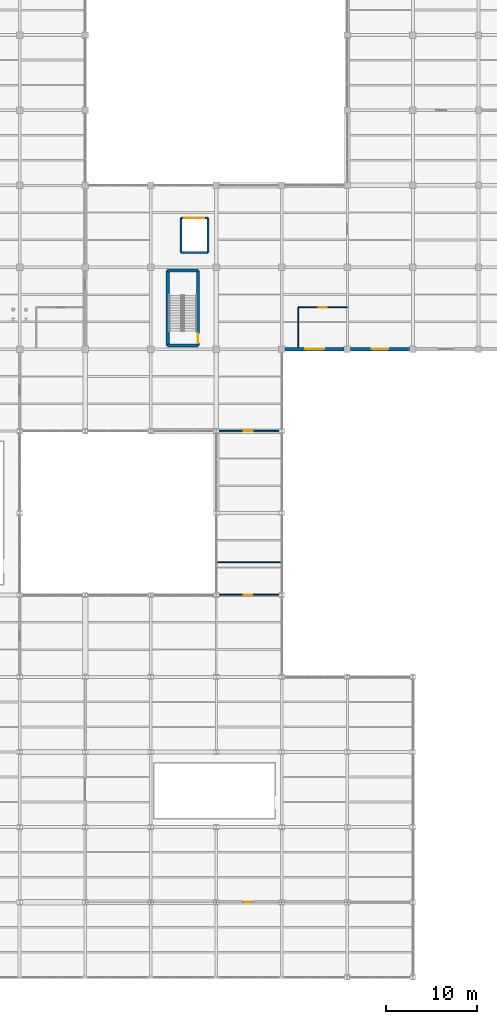
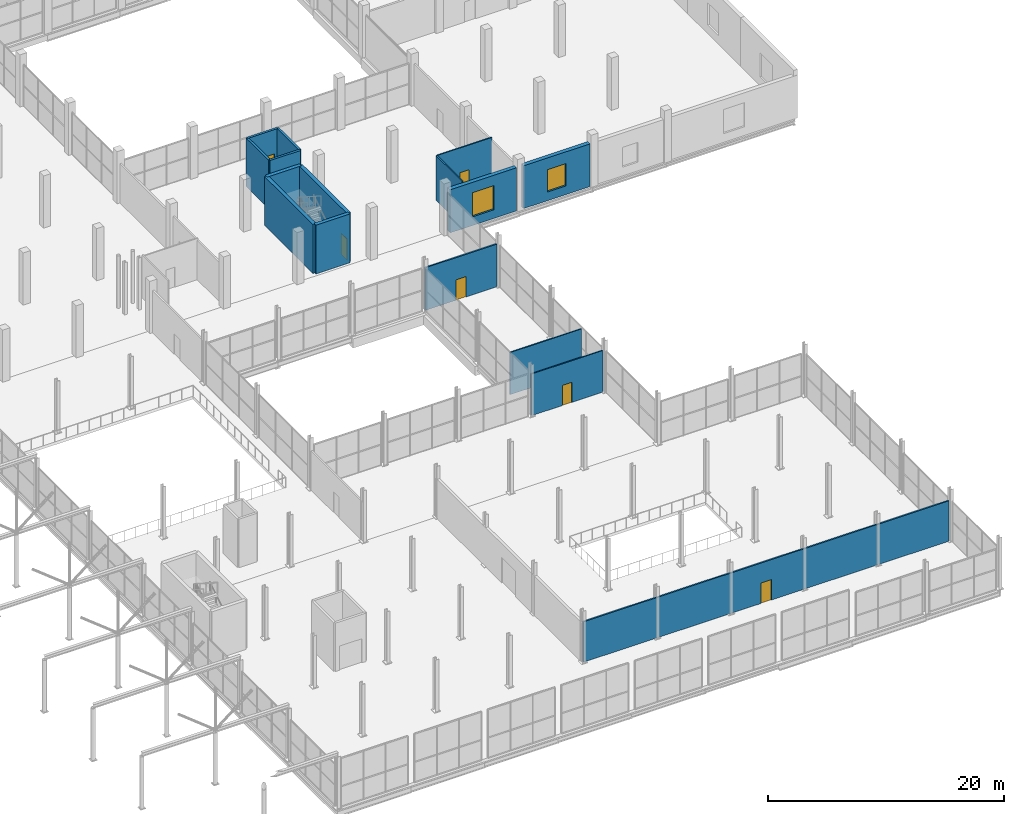
# One storey, part 135 of 147: 16 walls, 6 doors, 2 windows, 8 openings.
"""IFC4 building model written with IfcOpenShell, lengths in metres."""

from ifc_helpers import new_model, si_unit, direction, frame, frame_2d, origin, place, context, subcontext, project, spatial, rectangle, extrude, material, layer, layer_set, type_object, element, fill, save


model = new_model("IFC4")

# Units and contexts
model_context = context("Model", 3, precision=1e-05, world=origin(), true_north=direction((0.0, 1.0)))
body_context = subcontext(model_context, "Body", "Model", "MODEL_VIEW")
ifc_project = project(units=[si_unit("LENGTHUNIT", "METRE"), si_unit("AREAUNIT", "SQUARE_METRE"), si_unit("VOLUMEUNIT", "CUBIC_METRE"), si_unit("PLANEANGLEUNIT", "RADIAN"), si_unit("MASSUNIT", "GRAM", prefix="KILO")], contexts=[model_context])

# Site, building, storey
site_placement = place(None, origin())
site = spatial("IfcSite", under=ifc_project, at=site_placement, CompositionType="ELEMENT")
building_placement = place(site_placement, origin())
building = spatial("IfcBuilding", under=site, at=building_placement, Name="Sundgate Opera House", CompositionType="ELEMENT")
storey_placement = place(building_placement, frame((0.0, 0.0, 6.0)))
storey = spatial("IfcBuildingStorey", under=building, at=storey_placement, Name="L01", CompositionType="ELEMENT", Elevation=6.0)

# Walls
ifc_material_1 = material(Name="Concrete C40/50", Category="concrete")
ifc_layer_1 = layer(ifc_material_1, 0.35009765625)
ifc_layer_set_1 = layer_set([ifc_layer_1], Name="Concrete C40/50")
wall_type_1 = type_object("IfcWallType", Name="WL-CORE-350", PredefinedType="SHEAR", material=ifc_layer_set_1)
for number, where, z_axis, x_axis, name in (
    (1, (133.260009765625, 69.409912109375, 0.0), (0.0, 0.0, 1.0), (1.0, 0.0, 0.0), "L01 C6 South Shaft Wall"),
    (2, (133.260009765625, 77.639892578125, 0.0), (0.0, 0.0, 1.0), (1.0, 0.0, 0.0), "L01 C6 North Shaft Wall"),
):
    element("IfcWall", number, at=place(storey_placement, frame(where, z_axis=z_axis, x_axis=x_axis)), inside=storey, type_object=wall_type_1, Name=name, PredefinedType="SHEAR", context=body_context, shape_type="SweptSolid", body=[
        extrude(rectangle(XDim=3.330078125, YDim=0.35009765625, at=frame_2d((1.6650390625, 0.0))), origin(), (0.0, 0.0, 1.0), 5.050048828125),
    ])
wall_1_placement = place(storey_placement, frame((133.260009765625, 69.409912109375, 0.0), z_axis=(0.0, 0.0, 1.0), x_axis=(0.0, 1.0, 0.0)))
element("IfcWall", 3, at=wall_1_placement, inside=storey, type_object=wall_type_1, Name="L01 C6 West Shaft Wall", PredefinedType="SHEAR", context=body_context, shape_type="SweptSolid", body=[
    extrude(rectangle(XDim=8.22998046875, YDim=0.35009765625, at=frame_2d((4.114990234375, 0.0))), origin(), (0.0, 0.0, 1.0), 5.050048828125),
])

# Wall, opening, door
wall_2_placement = place(storey_placement, frame((136.590087890625, 69.409912109375, 0.0), z_axis=(0.0, 0.0, 1.0), x_axis=(0.0, 1.0, 0.0)))
wall_2 = element("IfcWall", 4, at=wall_2_placement, inside=storey, type_object=wall_type_1, Name="L01 C6 East Shaft Wall", PredefinedType="SHEAR", context=body_context, shape_type="SweptSolid", body=[
    extrude(rectangle(XDim=8.22998046875, YDim=0.35009765625, at=frame_2d((4.114990234375, 0.0))), origin(), (0.0, 0.0, 1.0), 5.050048828125),
])
opening_1_placement = place(wall_2_placement, frame((0.239990234375, 0.0, 0.0)))
opening_1 = element("IfcOpeningElement", 5, at=opening_1_placement, cuts=wall_2, Name="Opening DI01", PredefinedType="OPENING", context=body_context, shape_type="SweptSolid", body=[
    extrude(rectangle(XDim=1.050048828125, YDim=2.179931640625, at=frame_2d((0.52490234375, 1.08984375))), frame((0.0, 0.18505859375, 0.0), z_axis=(0.0, -1.0, 0.0), x_axis=(1.0, 0.0, 0.0)), (0.0, 0.0, 1.0), 0.3701171875),
])
ifc_material_2 = material(Name="Acoustic hardwood timber and steel core", Category="steel")
door_type_1 = type_object("IfcDoorType", Name="DR-STAIR-1050x2180", OperationType="NOTDEFINED", PredefinedType="DOOR", material=ifc_material_2)
door_1_placement = place(opening_1_placement, origin())
door_1 = element("IfcDoor", 6, at=door_1_placement, inside=storey, type_object=door_type_1, Name="L01 C6 Stair Door D0080", OperationType="SINGLE_SWING_RIGHT", OverallHeight=2.179931640625, OverallWidth=1.050048828125, PredefinedType="DOOR", context=body_context, shape_type="SweptSolid", body=[
    extrude(rectangle(XDim=1.050048828125, YDim=2.179931640625, at=frame_2d((0.52490234375, 1.08984375))), frame((0.0, 0.02490234375, 0.0), z_axis=(0.0, -1.0, 0.0), x_axis=(1.0, 0.0, 0.0)), (0.0, 0.0, 1.0), 0.050048828125),
])
fill(opening_1, door_1)

# Wall, opening, window
ifc_material_3 = material(Name="Scanian red-brown facing brick masonry", Category="masonry")
ifc_layer_2 = layer(ifc_material_3, 0.389892578125)
ifc_layer_set_2 = layer_set([ifc_layer_2], Name="Scanian red-brown facing brick masonry")
wall_type_2 = type_object("IfcWallType", Name="WL-EXT-BRICK-390", PredefinedType="SOLIDWALL", material=ifc_layer_set_2)
wall_3_placement = place(storey_placement, frame((152.655029296875, 69.0, 0.0), z_axis=(0.0, 0.0, 1.0), x_axis=(-1.0, 0.0, 0.0)))
wall_3 = element("IfcWall", 7, at=wall_3_placement, inside=storey, type_object=wall_type_2, Name="L01 Conservatory South Brick Wall W0220", PredefinedType="SOLIDWALL", context=body_context, shape_type="SweptSolid", body=[
    extrude(rectangle(XDim=6.510009765625, YDim=0.389892578125, at=frame_2d((3.2548828125, 0.0))), origin(), (0.0, 0.0, 1.0), 4.465087890625),
])
opening_2_placement = place(wall_3_placement, frame((2.205078125, 0.0, 0.89990234375)))
opening_2 = element("IfcOpeningElement", 8, at=opening_2_placement, cuts=wall_3, Name="Opening W04", PredefinedType="OPENING", context=body_context, shape_type="SweptSolid", body=[
    extrude(rectangle(XDim=2.10009765625, YDim=2.5, at=frame_2d((1.050048828125, 1.25))), frame((0.0, 0.204833984375, 0.0), z_axis=(0.0, -1.0, 0.0), x_axis=(1.0, 0.0, 0.0)), (0.0, 0.0, 1.0), 0.409912109375),
])
ifc_material_4 = material(Name="Low-iron triple glazing in patinated bronze frame", Category="glass")
window_type_1 = type_object("IfcWindowType", Name="WN-CONS-2100x2500", PartitioningType="SINGLE_PANEL", PredefinedType="WINDOW", material=ifc_material_4)
window_1_placement = place(opening_2_placement, origin())
window_1 = element("IfcWindow", 9, at=window_1_placement, inside=storey, type_object=window_type_1, Name="L01 Conservatory Window WN0173", OverallHeight=2.5, OverallWidth=2.10009765625, PartitioningType="SINGLE_PANEL", PredefinedType="WINDOW", context=body_context, shape_type="SweptSolid", body=[
    extrude(rectangle(XDim=2.10009765625, YDim=2.5, at=frame_2d((1.050048828125, 1.25))), frame((0.0, 0.030029296875, 0.0), z_axis=(0.0, -1.0, 0.0), x_axis=(1.0, 0.0, 0.0)), (0.0, 0.0, 1.0), 0.06005859375),
])
fill(opening_2, window_1)

wall_4_placement = place(storey_placement, frame((159.85498046875, 69.0, 0.0), z_axis=(0.0, 0.0, 1.0), x_axis=(-1.0, 0.0, 0.0)))
wall_4 = element("IfcWall", 10, at=wall_4_placement, inside=storey, type_object=wall_type_2, Name="L01 Conservatory South Brick Wall W0221", PredefinedType="SOLIDWALL", context=body_context, shape_type="SweptSolid", body=[
    extrude(rectangle(XDim=6.510009765625, YDim=0.389892578125, at=frame_2d((3.2548828125, 0.0))), origin(), (0.0, 0.0, 1.0), 4.425048828125),
])
opening_3_placement = place(wall_4_placement, frame((2.35498046875, 0.0, 0.89990234375)))
opening_3 = element("IfcOpeningElement", 11, at=opening_3_placement, cuts=wall_4, Name="Opening W05", PredefinedType="OPENING", context=body_context, shape_type="SweptSolid", body=[
    extrude(rectangle(XDim=1.800048828125, YDim=2.300048828125, at=frame_2d((0.89990234375, 1.14990234375))), frame((0.0, 0.204833984375, 0.0), z_axis=(0.0, -1.0, 0.0), x_axis=(1.0, 0.0, 0.0)), (0.0, 0.0, 1.0), 0.409912109375),
])
ifc_material_5 = material(Name="Low-iron triple glazing in patinated bronze frame", Category="glass")
window_type_2 = type_object("IfcWindowType", Name="WN-CONS-1800x2300", PartitioningType="SINGLE_PANEL", PredefinedType="WINDOW", material=ifc_material_5)
window_2_placement = place(opening_3_placement, origin())
window_2 = element("IfcWindow", 12, at=window_2_placement, inside=storey, type_object=window_type_2, Name="L01 Conservatory Window WN0174", OverallHeight=2.300048828125, OverallWidth=1.800048828125, PartitioningType="SINGLE_PANEL", PredefinedType="WINDOW", context=body_context, shape_type="SweptSolid", body=[
    extrude(rectangle(XDim=1.800048828125, YDim=2.300048828125, at=frame_2d((0.89990234375, 1.14990234375))), frame((0.0, 0.030029296875, 0.0), z_axis=(0.0, -1.0, 0.0), x_axis=(1.0, 0.0, 0.0)), (0.0, 0.0, 1.0), 0.06005859375),
])
fill(opening_3, window_2)

# Wall
ifc_material_6 = material(Name="Fire-rated gypsum and mineral-wool shaft partition", Category="gypsum")
ifc_layer_3 = layer(ifc_material_6, 0.219970703125)
ifc_layer_set_3 = layer_set([ifc_layer_3], Name="Fire-rated gypsum and mineral-wool shaft partition")
wall_type_3 = type_object("IfcWallType", Name="WL-INT-FIRE-220", PredefinedType="PARTITIONING", material=ifc_layer_set_3)
wall_5_placement = place(storey_placement, frame((134.7099609375, 79.610107421875, 0.0), z_axis=(0.0, 0.0, 1.0), x_axis=(1.0, 0.0, 0.0)))
element("IfcWall", 13, at=wall_5_placement, inside=storey, type_object=wall_type_3, Name="L01 GL-01 South Shaft Wall", PredefinedType="PARTITIONING", context=body_context, shape_type="SweptSolid", body=[
    extrude(rectangle(XDim=2.97998046875, YDim=0.219970703125, at=frame_2d((1.489990234375, 0.0))), origin(), (0.0, 0.0, 1.0), 5.014892578125),
])

# Wall, opening, door
wall_6_placement = place(storey_placement, frame((134.7099609375, 83.389892578125, 0.0), z_axis=(0.0, 0.0, 1.0), x_axis=(1.0, 0.0, 0.0)))
wall_6 = element("IfcWall", 14, at=wall_6_placement, inside=storey, type_object=wall_type_3, Name="L01 GL-01 North Shaft Wall", PredefinedType="PARTITIONING", context=body_context, shape_type="SweptSolid", body=[
    extrude(rectangle(XDim=2.97998046875, YDim=0.219970703125, at=frame_2d((1.489990234375, 0.0))), origin(), (0.0, 0.0, 1.0), 5.014892578125),
])
opening_4_placement = place(wall_6_placement, frame((0.389892578125, 0.0, 0.0)))
opening_4 = element("IfcOpeningElement", 15, at=opening_4_placement, cuts=wall_6, Name="Opening LD3", PredefinedType="OPENING", context=body_context, shape_type="SweptSolid", body=[
    extrude(rectangle(XDim=2.199951171875, YDim=2.5, at=frame_2d((1.10009765625, 1.25))), frame((0.0, 0.119873046875, 0.0), z_axis=(0.0, -1.0, 0.0), x_axis=(1.0, 0.0, 0.0)), (0.0, 0.0, 1.0), 0.239990234375),
])
ifc_material_7 = material(Name="Brushed stainless steel EN 1.4301", Category="steel")
door_type_2 = type_object("IfcDoorType", Name="DR-LIFT-2200x2500", OperationType="DOUBLE_DOOR_SLIDING", PredefinedType="DOOR", material=ifc_material_7)
door_2_placement = place(opening_4_placement, origin())
door_2 = element("IfcDoor", 16, at=door_2_placement, inside=storey, type_object=door_type_2, Name="L01 GL-01 Landing Door D0146", OperationType="DOUBLE_DOOR_SLIDING", OverallHeight=2.5, OverallWidth=2.199951171875, PredefinedType="DOOR", context=body_context, shape_type="SweptSolid", body=[
    extrude(rectangle(XDim=2.199951171875, YDim=2.5, at=frame_2d((1.10009765625, 1.25))), frame((0.0, 0.02490234375, 0.0), z_axis=(0.0, -1.0, 0.0), x_axis=(1.0, 0.0, 0.0)), (0.0, 0.0, 1.0), 0.050048828125),
])
fill(opening_4, door_2)

# Walls
for number, where, z_axis, x_axis, name in (
    (17, (134.7099609375, 79.610107421875, 0.0), (0.0, 0.0, 1.0), (0.0, 1.0, 0.0), "L01 GL-01 West Shaft Wall"),
    (18, (137.68994140625, 79.610107421875, 0.0), (0.0, 0.0, 1.0), (0.0, 1.0, 0.0), "L01 GL-01 East Shaft Wall"),
):
    element("IfcWall", number, at=place(storey_placement, frame(where, z_axis=z_axis, x_axis=x_axis)), inside=storey, type_object=wall_type_3, Name=name, PredefinedType="PARTITIONING", context=body_context, shape_type="SweptSolid", body=[
        extrude(rectangle(XDim=3.77978515625, YDim=0.219970703125, at=frame_2d((1.889892578125, 0.0))), origin(), (0.0, 0.0, 1.0), 5.014892578125),
    ])

# Wall, opening, door
ifc_material_8 = material(Name="General studio partition", Category="gypsum")
ifc_layer_4 = layer(ifc_material_8, 0.14501953125)
ifc_layer_set_4 = layer_set([ifc_layer_4], Name="General studio partition")
wall_type_4 = type_object("IfcWallType", Name="WL-INT-PART-145", PredefinedType="PARTITIONING", material=ifc_layer_set_4)
wall_7_placement = place(storey_placement, frame((138.60009765625, 60.0, 0.0), z_axis=(0.0, 0.0, 1.0), x_axis=(1.0, 0.0, 0.0)))
wall_7 = element("IfcWall", 19, at=wall_7_placement, inside=storey, type_object=wall_type_4, Name="L01 Interior Partition W1033", PredefinedType="PARTITIONING", context=body_context, shape_type="SweptSolid", body=[
    extrude(rectangle(XDim=7.0, YDim=0.14501953125, at=frame_2d((3.5, 0.0))), origin(), (0.0, 0.0, 1.0), 4.4150390625),
])
opening_5_placement = place(wall_7_placement, frame((3.0, 0.0, 0.0)))
opening_5 = element("IfcOpeningElement", 20, at=opening_5_placement, cuts=wall_7, Name="Opening DI10", PredefinedType="OPENING", context=body_context, shape_type="SweptSolid", body=[
    extrude(rectangle(XDim=1.0, YDim=2.1201171875, at=frame_2d((0.5, 1.06005859375))), frame((0.0, 0.08251953125, 0.0), z_axis=(0.0, -1.0, 0.0), x_axis=(1.0, 0.0, 0.0)), (0.0, 0.0, 1.0), 0.1650390625),
])
ifc_material_9 = material(Name="Acoustic hardwood timber and steel core", Category="steel")
door_type_3 = type_object("IfcDoorType", Name="DR-UNR-1000x2120", OperationType="NOTDEFINED", PredefinedType="DOOR", material=ifc_material_9)
door_3_placement = place(opening_5_placement, origin())
door_3 = element("IfcDoor", 21, at=door_3_placement, inside=storey, type_object=door_type_3, Name="L01 Interior Door D0202", OperationType="SINGLE_SWING_RIGHT", OverallHeight=2.1201171875, OverallWidth=1.0, PredefinedType="DOOR", context=body_context, shape_type="SweptSolid", body=[
    extrude(rectangle(XDim=1.0, YDim=2.1201171875, at=frame_2d((0.5, 1.06005859375))), frame((0.0, 0.02490234375, 0.0), z_axis=(0.0, -1.0, 0.0), x_axis=(1.0, 0.0, 0.0)), (0.0, 0.0, 1.0), 0.050048828125),
])
fill(opening_5, door_3)

wall_8_placement = place(storey_placement, frame((124.199951171875, 8.25, 0.0), z_axis=(0.0, 0.0, 1.0), x_axis=(1.0, 0.0, 0.0)))
wall_8 = element("IfcWall", 22, at=wall_8_placement, inside=storey, type_object=wall_type_4, Name="L01 Interior Partition W1035", PredefinedType="PARTITIONING", context=body_context, shape_type="SweptSolid", body=[
    extrude(rectangle(XDim=35.800048828125, YDim=0.14501953125, at=frame_2d((17.89990234375, 0.0))), origin(), (0.0, 0.0, 1.0), 4.18505859375),
])
opening_6_placement = place(wall_8_placement, frame((17.39990234375, 0.0, 0.0)))
opening_6 = element("IfcOpeningElement", 23, at=opening_6_placement, cuts=wall_8, Name="Opening DI10", PredefinedType="OPENING", context=body_context, shape_type="SweptSolid", body=[
    extrude(rectangle(XDim=1.0, YDim=2.1201171875, at=frame_2d((0.5, 1.06005859375))), frame((0.0, 0.08251953125, 0.0), z_axis=(0.0, -1.0, 0.0), x_axis=(1.0, 0.0, 0.0)), (0.0, 0.0, 1.0), 0.1650390625),
])
door_4_placement = place(opening_6_placement, origin())
door_4 = element("IfcDoor", 24, at=door_4_placement, inside=storey, type_object=door_type_3, Name="L01 Interior Door D0204", OperationType="SINGLE_SWING_LEFT", OverallHeight=2.1201171875, OverallWidth=1.0, PredefinedType="DOOR", context=body_context, shape_type="SweptSolid", body=[
    extrude(rectangle(XDim=1.0, YDim=2.1201171875, at=frame_2d((0.5, 1.06005859375))), frame((0.0, 0.02490234375, 0.0), z_axis=(0.0, -1.0, 0.0), x_axis=(1.0, 0.0, 0.0)), (0.0, 0.0, 1.0), 0.050048828125),
])
fill(opening_6, door_4)

ifc_material_10 = material(Name="Moisture-resistant sanitary partition", Category="gypsum")
ifc_layer_5 = layer(ifc_material_10, 0.114990234375)
ifc_layer_set_5 = layer_set([ifc_layer_5], Name="Moisture-resistant sanitary partition")
wall_type_5 = type_object("IfcWallType", Name="WL-INT-WET-115", PredefinedType="PARTITIONING", material=ifc_layer_set_5)
wall_9_placement = place(storey_placement, frame((138.60009765625, 42.0, 0.0), z_axis=(0.0, 0.0, 1.0), x_axis=(1.0, 0.0, 0.0)))
wall_9 = element("IfcWall", 25, at=wall_9_placement, inside=storey, type_object=wall_type_5, Name="L01 Interior Partition W1031", PredefinedType="PARTITIONING", context=body_context, shape_type="SweptSolid", body=[
    extrude(rectangle(XDim=7.0, YDim=0.114990234375, at=frame_2d((3.5, 0.0))), origin(), (0.0, 0.0, 1.0), 4.31494140625),
])
opening_7_placement = place(wall_9_placement, frame((3.0400390625, 0.0, 0.0)))
opening_7 = element("IfcOpeningElement", 26, at=opening_7_placement, cuts=wall_9, Name="Opening DI12", PredefinedType="OPENING", context=body_context, shape_type="SweptSolid", body=[
    extrude(rectangle(XDim=0.919921875, YDim=2.080078125, at=frame_2d((0.4599609375, 1.0400390625))), frame((0.0, 0.0673828125, 0.0), z_axis=(0.0, -1.0, 0.0), x_axis=(1.0, 0.0, 0.0)), (0.0, 0.0, 1.0), 0.135009765625),
])
ifc_material_11 = material(Name="Acoustic hardwood timber and steel core", Category="steel")
door_type_4 = type_object("IfcDoorType", Name="DR-WC-920x2080", OperationType="NOTDEFINED", PredefinedType="DOOR", material=ifc_material_11)
door_5_placement = place(opening_7_placement, origin())
door_5 = element("IfcDoor", 27, at=door_5_placement, inside=storey, type_object=door_type_4, Name="L01 Interior Door D0201", OperationType="SINGLE_SWING_LEFT", OverallHeight=2.080078125, OverallWidth=0.919921875, PredefinedType="DOOR", context=body_context, shape_type="SweptSolid", body=[
    extrude(rectangle(XDim=0.919921875, YDim=2.080078125, at=frame_2d((0.4599609375, 1.0400390625))), frame((0.0, 0.02490234375, 0.0), z_axis=(0.0, -1.0, 0.0), x_axis=(1.0, 0.0, 0.0)), (0.0, 0.0, 1.0), 0.050048828125),
])
fill(opening_7, door_5)

# Wall
wall_10_placement = place(storey_placement, frame((138.60009765625, 45.60009765625, 0.0), z_axis=(0.0, 0.0, 1.0), x_axis=(1.0, 0.0, 0.0)))
element("IfcWall", 28, at=wall_10_placement, inside=storey, type_object=wall_type_5, Name="L01 Interior Partition W1032", PredefinedType="PARTITIONING", context=body_context, shape_type="SweptSolid", body=[
    extrude(rectangle(XDim=7.0, YDim=0.114990234375, at=frame_2d((3.5, 0.0))), origin(), (0.0, 0.0, 1.0), 4.364990234375),
])

# Wall, opening, door
wall_11_placement = place(storey_placement, frame((147.60009765625, 73.60009765625, 0.0), z_axis=(0.0, 0.0, 1.0), x_axis=(1.0, 0.0, 0.0)))
wall_11 = element("IfcWall", 29, at=wall_11_placement, inside=storey, type_object=wall_type_5, Name="L01 Interior Partition W1039", PredefinedType="PARTITIONING", context=body_context, shape_type="SweptSolid", body=[
    extrude(rectangle(XDim=5.39990234375, YDim=0.114990234375, at=frame_2d((2.699951171875, 0.0))), origin(), (0.0, 0.0, 1.0), 4.625),
])
opening_8_placement = place(wall_11_placement, frame((2.260009765625, 0.0, 0.0)))
opening_8 = element("IfcOpeningElement", 30, at=opening_8_placement, cuts=wall_11, Name="Opening DI13", PredefinedType="OPENING", context=body_context, shape_type="SweptSolid", body=[
    extrude(rectangle(XDim=0.8798828125, YDim=2.06005859375, at=frame_2d((0.43994140625, 1.030029296875))), frame((0.0, 0.0673828125, 0.0), z_axis=(0.0, -1.0, 0.0), x_axis=(1.0, 0.0, 0.0)), (0.0, 0.0, 1.0), 0.135009765625),
])
ifc_material_12 = material(Name="Acoustic hardwood timber and steel core", Category="steel")
door_type_5 = type_object("IfcDoorType", Name="DR-WC-880x2060", OperationType="NOTDEFINED", PredefinedType="DOOR", material=ifc_material_12)
door_6_placement = place(opening_8_placement, origin())
door_6 = element("IfcDoor", 31, at=door_6_placement, inside=storey, type_object=door_type_5, Name="L01 Interior Door D0207", OperationType="SINGLE_SWING_RIGHT", OverallHeight=2.06005859375, OverallWidth=0.8798828125, PredefinedType="DOOR", context=body_context, shape_type="SweptSolid", body=[
    extrude(rectangle(XDim=0.8798828125, YDim=2.06005859375, at=frame_2d((0.43994140625, 1.030029296875))), frame((0.0, 0.02490234375, 0.0), z_axis=(0.0, -1.0, 0.0), x_axis=(1.0, 0.0, 0.0)), (0.0, 0.0, 1.0), 0.050048828125),
])
fill(opening_8, door_6)

# Wall
wall_12_placement = place(storey_placement, frame((147.60009765625, 69.199951171875, 0.0), z_axis=(0.0, 0.0, 1.0), x_axis=(0.0, 1.0, 0.0)))
element("IfcWall", 32, at=wall_12_placement, inside=storey, type_object=wall_type_5, Name="L01 Interior Partition W1040", PredefinedType="PARTITIONING", context=body_context, shape_type="SweptSolid", body=[
    extrude(rectangle(XDim=4.400146484375, YDim=0.114990234375, at=frame_2d((2.2001953125, 0.0))), origin(), (0.0, 0.0, 1.0), 4.614990234375),
])

save(model, "model.ifc")
